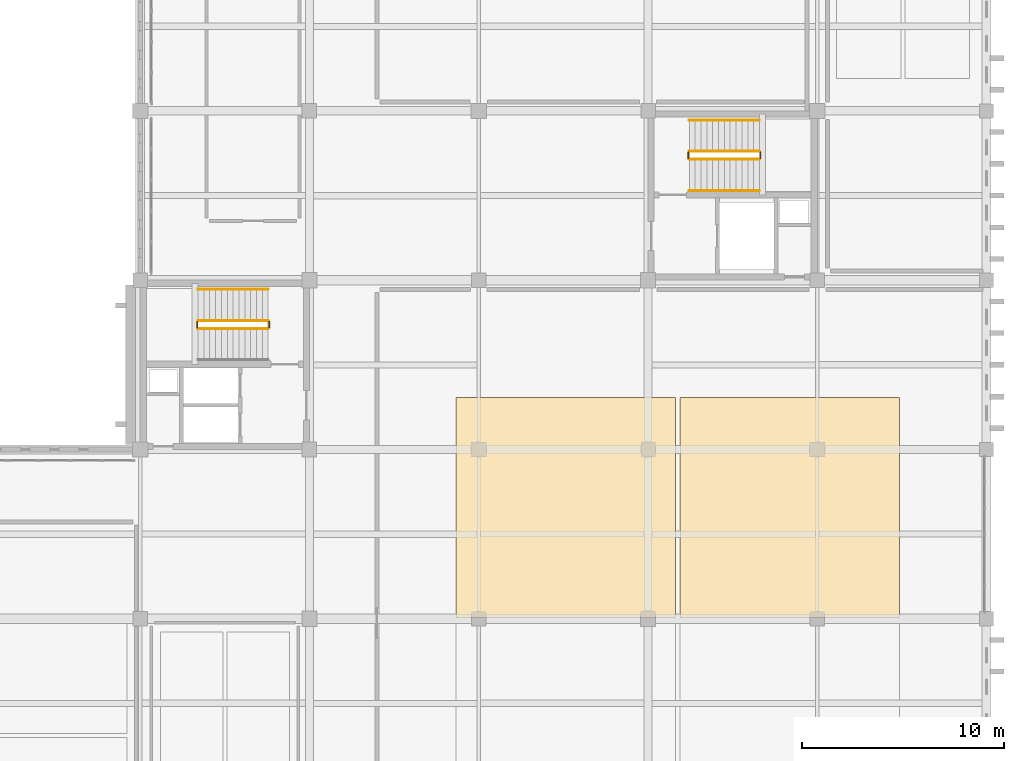
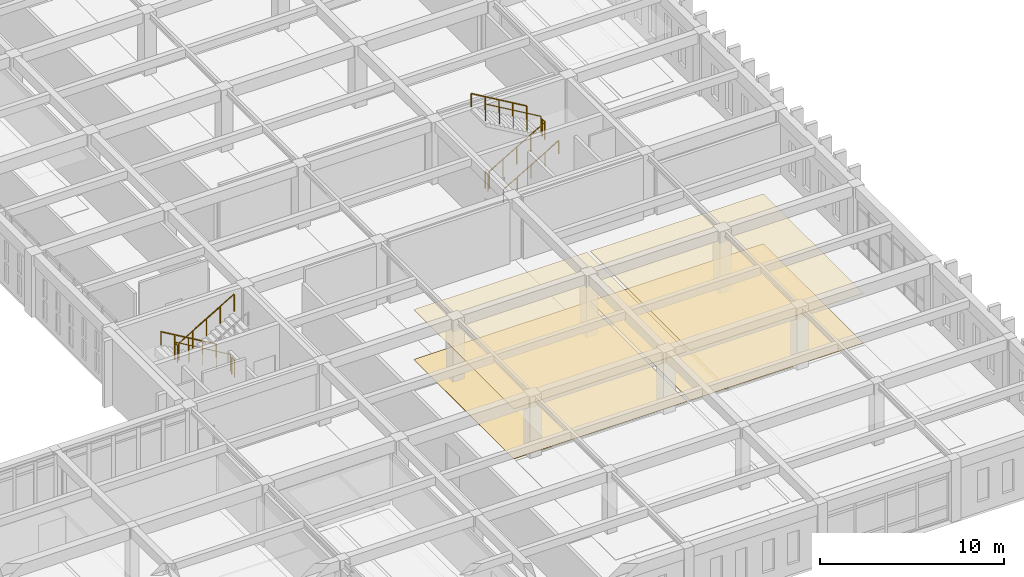
# One storey, part 190 of 192: 11 railings, 4 coverings.
"""IFC4 building model written with IfcOpenShell, lengths in metres."""

from ifc_helpers import new_model, si_unit, direction, frame, origin, origin_2d, place, context, subcontext, project, spatial, rectangle, circle, extrude, material, layer, layer_set, type_object, element, save


model = new_model("IFC4")

# Units and contexts
model_context = context("Model", 3, precision=1e-05, world=origin(), true_north=direction((0.0, 1.0)))
body_context = subcontext(model_context, "Body", "Model", "MODEL_VIEW")
ifc_project = project(units=[si_unit("LENGTHUNIT", "METRE"), si_unit("AREAUNIT", "SQUARE_METRE"), si_unit("VOLUMEUNIT", "CUBIC_METRE"), si_unit("PLANEANGLEUNIT", "RADIAN"), si_unit("MASSUNIT", "GRAM", prefix="KILO")], contexts=[model_context])

# Site, building, storey
site_placement = place(None, origin())
site = spatial("IfcSite", under=ifc_project, at=site_placement, CompositionType="ELEMENT")
building_placement = place(site_placement, origin())
building = spatial("IfcBuilding", under=site, at=building_placement, Name="Kveldsbrygga Polytechnic", CompositionType="ELEMENT")
storey_placement = place(building_placement, frame((0.0, 0.0, 5.43994140625)))
storey = spatial("IfcBuildingStorey", under=building, at=storey_placement, Name="L01", CompositionType="ELEMENT", Elevation=5.43994140625)

# Coverings
ifc_material_1 = material(Name="Acoustic mineral baffle ceiling")
ifc_layer_1 = layer(ifc_material_1, 0.030029296875)
ifc_layer_set_1 = layer_set([ifc_layer_1], Name="Acoustic mineral baffle ceiling")
covering_type_1 = type_object("IfcCoveringType", Name="COV-CEIL-AC30", PredefinedType="CEILING", material=ifc_layer_set_1)
for number, where, z_axis, x_axis, name in (
    (1, (147.125, 22.324951171875, 3.31005859375), (0.0, 0.0, 1.0), (1.0, 0.0, 0.0), "Acoustic Ceiling SP-L01-LAB11-WN"),
    (2, (158.22509765625, 22.324951171875, 3.31005859375), (0.0, 0.0, 1.0), (1.0, 0.0, 0.0), "Acoustic Ceiling SP-L01-LAB11-EN"),
):
    element("IfcCovering", number, at=place(storey_placement, frame(where, z_axis=z_axis, x_axis=x_axis)), inside=storey, type_object=covering_type_1, Name=name, PredefinedType="CEILING", context=body_context, shape_type="SweptSolid", body=[
        extrude(rectangle(XDim=10.89990234375, YDim=10.89990234375, at=origin_2d()), origin(), (0.0, 0.0, 1.0), 0.030029296875),
    ])
ifc_material_2 = material(Name="Heavy-duty quartz-filled epoxy resin flooring")
ifc_layer_2 = layer(ifc_material_2, 0.014892578125)
ifc_layer_set_2 = layer_set([ifc_layer_2], Name="Heavy-duty quartz-filled epoxy resin flooring")
covering_type_2 = type_object("IfcCoveringType", Name="COV-FLR-EPX15", PredefinedType="FLOORING", material=ifc_layer_set_2)
for number, where, z_axis, x_axis, name in (
    (3, (147.125, 22.324951171875, 0.0), (0.0, 0.0, 1.0), (1.0, 0.0, 0.0), "Room Flooring SP-L01-LAB11-WN"),
    (4, (158.22509765625, 22.324951171875, 0.0), (0.0, 0.0, 1.0), (1.0, 0.0, 0.0), "Room Flooring SP-L01-LAB11-EN"),
):
    element("IfcCovering", number, at=place(storey_placement, frame(where, z_axis=z_axis, x_axis=x_axis)), inside=storey, type_object=covering_type_2, Name=name, PredefinedType="FLOORING", context=body_context, shape_type="SweptSolid", body=[
        extrude(rectangle(XDim=10.89990234375, YDim=10.89990234375, at=origin_2d()), origin(), (0.0, 0.0, 1.0), 0.014892578125),
    ])

# Railings
ifc_material_3 = material(Name="Steel S355", Category="steel")
railing_type_1 = type_object("IfcRailingType", Name="RL-STAIR-GRD", PredefinedType="GUARDRAIL", material=ifc_material_3)
railing_1_placement = place(storey_placement, frame((132.35009765625, 31.60009765625, 0.170166015625)))
element("IfcRailing", 5, at=railing_1_placement, inside=storey, type_object=railing_type_1, Name="L01 ST-1 stair guard 1", PredefinedType="GUARDRAIL", context=body_context, shape_type="SweptSolid", body=[
    extrude(circle(Radius=0.02392578125, at=origin_2d()), frame((0.0, 0.0, 1.1259765625), z_axis=(-0.862718911971, 0.0, 0.505683773644), x_axis=(0.0, -1.0, 0.0)), (0.0, 0.0, 1.0), 4.03369140625),
    extrude(circle(Radius=0.02099609375, at=origin_2d()), origin(), (0.0, 0.0, 1.0), 1.097900390625),
    extrude(circle(Radius=0.02099609375, at=origin_2d()), frame((-0.8701171875, 0.0, 0.510009765625)), (0.0, 0.0, 1.0), 1.097900390625),
    extrude(circle(Radius=0.02099609375, at=origin_2d()), frame((-1.739990234375, 0.0, 1.02001953125)), (0.0, 0.0, 1.0), 1.097900390625),
    extrude(circle(Radius=0.02099609375, at=origin_2d()), frame((-2.60986328125, 0.0, 1.52978515625)), (0.0, 0.0, 1.0), 1.097900390625),
    extrude(circle(Radius=0.02099609375, at=origin_2d()), frame((-3.47998046875, 0.0, 2.039794921875)), (0.0, 0.0, 1.0), 1.097900390625),
])
railing_2_placement = place(storey_placement, frame((128.820068359375, 31.550048828125, 2.2099609375)))
element("IfcRailing", 6, at=railing_2_placement, inside=storey, type_object=railing_type_1, Name="L01 ST-1 stair guard 2", PredefinedType="GUARDRAIL", context=body_context, shape_type="SweptSolid", body=[
    extrude(circle(Radius=0.02392578125, at=origin_2d()), frame((0.0, 0.0, 1.1259765625), z_axis=(0.0, -1.0, 0.0), x_axis=(1.0, 0.0, 0.0)), (0.0, 0.0, 1.0), 0.300048828125),
    extrude(circle(Radius=0.02099609375, at=origin_2d()), origin(), (0.0, 0.0, 1.0), 1.097900390625),
    extrude(circle(Radius=0.02099609375, at=origin_2d()), frame((0.0, -0.300048828125, 0.0)), (0.0, 0.0, 1.0), 1.097900390625),
])
railing_3_placement = place(storey_placement, frame((128.8701171875, 31.199951171875, 2.380126953125)))
element("IfcRailing", 7, at=railing_3_placement, inside=storey, type_object=railing_type_1, Name="L01 ST-1 stair guard 3", PredefinedType="GUARDRAIL", context=body_context, shape_type="SweptSolid", body=[
    extrude(circle(Radius=0.02392578125, at=origin_2d()), frame((0.0, 0.0, 1.1259765625), z_axis=(0.862692506924, 0.0, 0.505728819128), x_axis=(0.0, 1.0, 0.0)), (0.0, 0.0, 1.0), 4.033935546875),
    extrude(circle(Radius=0.02099609375, at=origin_2d()), origin(), (0.0, 0.0, 1.0), 1.097900390625),
    extrude(circle(Radius=0.02099609375, at=origin_2d()), frame((0.8701171875, 0.0, 0.510009765625)), (0.0, 0.0, 1.0), 1.097900390625),
    extrude(circle(Radius=0.02099609375, at=origin_2d()), frame((1.739990234375, 0.0, 1.02001953125)), (0.0, 0.0, 1.0), 1.097900390625),
    extrude(circle(Radius=0.02099609375, at=origin_2d()), frame((2.60986328125, 0.0, 1.530029296875)), (0.0, 0.0, 1.0), 1.097900390625),
    extrude(circle(Radius=0.02099609375, at=origin_2d()), frame((3.47998046875, 0.0, 2.0400390625)), (0.0, 0.0, 1.0), 1.097900390625),
])
railing_4_placement = place(storey_placement, frame((132.39990234375, 31.550048828125, 0.0)))
element("IfcRailing", 8, at=railing_4_placement, inside=storey, type_object=railing_type_1, Name="L01 ST-1 stair guard 4", PredefinedType="GUARDRAIL", context=body_context, shape_type="SweptSolid", body=[
    extrude(circle(Radius=0.02392578125, at=origin_2d()), frame((0.0, 0.0, 1.1259765625), z_axis=(0.0, -1.0, 0.0), x_axis=(1.0, 0.0, 0.0)), (0.0, 0.0, 1.0), 0.300048828125),
    extrude(circle(Radius=0.02099609375, at=origin_2d()), origin(), (0.0, 0.0, 1.0), 1.097900390625),
    extrude(circle(Radius=0.02099609375, at=origin_2d()), frame((0.0, -0.300048828125, 0.0)), (0.0, 0.0, 1.0), 1.097900390625),
])
railing_5_placement = place(storey_placement, frame((153.25, 39.60009765625, 0.170166015625)))
element("IfcRailing", 9, at=railing_5_placement, inside=storey, type_object=railing_type_1, Name="L01 ST-3 stair guard 1", PredefinedType="GUARDRAIL", context=body_context, shape_type="SweptSolid", body=[
    extrude(circle(Radius=0.02392578125, at=origin_2d()), frame((0.0, 0.0, 1.1259765625), z_axis=(0.862718911971, 0.0, 0.505683773644), x_axis=(0.0, 1.0, 0.0)), (0.0, 0.0, 1.0), 4.03369140625),
    extrude(circle(Radius=0.02099609375, at=origin_2d()), origin(), (0.0, 0.0, 1.0), 1.097900390625),
    extrude(circle(Radius=0.02099609375, at=origin_2d()), frame((0.8701171875, 0.0, 0.510009765625)), (0.0, 0.0, 1.0), 1.097900390625),
    extrude(circle(Radius=0.02099609375, at=origin_2d()), frame((1.739990234375, 0.0, 1.02001953125)), (0.0, 0.0, 1.0), 1.097900390625),
    extrude(circle(Radius=0.02099609375, at=origin_2d()), frame((2.60986328125, 0.0, 1.52978515625)), (0.0, 0.0, 1.0), 1.097900390625),
    extrude(circle(Radius=0.02099609375, at=origin_2d()), frame((3.47998046875, 0.0, 2.039794921875)), (0.0, 0.0, 1.0), 1.097900390625),
])
railing_6_placement = place(storey_placement, frame((156.780029296875, 39.64990234375, 2.2099609375)))
element("IfcRailing", 10, at=railing_6_placement, inside=storey, type_object=railing_type_1, Name="L01 ST-3 stair guard 2", PredefinedType="GUARDRAIL", context=body_context, shape_type="SweptSolid", body=[
    extrude(circle(Radius=0.02392578125, at=origin_2d()), frame((0.0, 0.0, 1.1259765625), z_axis=(0.0, 1.0, 0.0), x_axis=(-1.0, 0.0, 0.0)), (0.0, 0.0, 1.0), 0.300048828125),
    extrude(circle(Radius=0.02099609375, at=origin_2d()), origin(), (0.0, 0.0, 1.0), 1.097900390625),
    extrude(circle(Radius=0.02099609375, at=origin_2d()), frame((0.0, 0.300048828125, 0.0)), (0.0, 0.0, 1.0), 1.097900390625),
])
railing_7_placement = place(storey_placement, frame((156.72998046875, 40.0, 2.380126953125)))
element("IfcRailing", 11, at=railing_7_placement, inside=storey, type_object=railing_type_1, Name="L01 ST-3 stair guard 3", PredefinedType="GUARDRAIL", context=body_context, shape_type="SweptSolid", body=[
    extrude(circle(Radius=0.02392578125, at=origin_2d()), frame((0.0, 0.0, 1.1259765625), z_axis=(-0.862692506924, 0.0, 0.505728819128), x_axis=(0.0, -1.0, 0.0)), (0.0, 0.0, 1.0), 4.033935546875),
    extrude(circle(Radius=0.02099609375, at=origin_2d()), origin(), (0.0, 0.0, 1.0), 1.097900390625),
    extrude(circle(Radius=0.02099609375, at=origin_2d()), frame((-0.8701171875, 0.0, 0.510009765625)), (0.0, 0.0, 1.0), 1.097900390625),
    extrude(circle(Radius=0.02099609375, at=origin_2d()), frame((-1.739990234375, 0.0, 1.02001953125)), (0.0, 0.0, 1.0), 1.097900390625),
    extrude(circle(Radius=0.02099609375, at=origin_2d()), frame((-2.60986328125, 0.0, 1.530029296875)), (0.0, 0.0, 1.0), 1.097900390625),
    extrude(circle(Radius=0.02099609375, at=origin_2d()), frame((-3.47998046875, 0.0, 2.0400390625)), (0.0, 0.0, 1.0), 1.097900390625),
])
railing_8_placement = place(storey_placement, frame((153.199951171875, 39.64990234375, 0.0)))
element("IfcRailing", 12, at=railing_8_placement, inside=storey, type_object=railing_type_1, Name="L01 ST-3 stair guard 4", PredefinedType="GUARDRAIL", context=body_context, shape_type="SweptSolid", body=[
    extrude(circle(Radius=0.02392578125, at=origin_2d()), frame((0.0, 0.0, 1.1259765625), z_axis=(0.0, 1.0, 0.0), x_axis=(-1.0, 0.0, 0.0)), (0.0, 0.0, 1.0), 0.300048828125),
    extrude(circle(Radius=0.02099609375, at=origin_2d()), origin(), (0.0, 0.0, 1.0), 1.097900390625),
    extrude(circle(Radius=0.02099609375, at=origin_2d()), frame((0.0, 0.300048828125, 0.0)), (0.0, 0.0, 1.0), 1.097900390625),
])
railing_type_2 = type_object("IfcRailingType", Name="RL-STAIR-HND", PredefinedType="HANDRAIL", material=ifc_material_3)
railing_9_placement = place(storey_placement, frame((132.35009765625, 33.14990234375, 0.170166015625)))
element("IfcRailing", 13, at=railing_9_placement, inside=storey, type_object=railing_type_2, Name="L01 ST-1 stair handrail 1", PredefinedType="HANDRAIL", context=body_context, shape_type="SweptSolid", body=[
    extrude(circle(Radius=0.02392578125, at=origin_2d()), frame((0.0, 0.0, 0.8759765625), z_axis=(-0.862718911971, 0.0, 0.505683773644), x_axis=(0.0, -1.0, 0.0)), (0.0, 0.0, 1.0), 4.03369140625),
    extrude(circle(Radius=0.02099609375, at=origin_2d()), origin(), (0.0, 0.0, 1.0), 0.847900390625),
    extrude(circle(Radius=0.02099609375, at=origin_2d()), frame((-0.8701171875, 0.0, 0.510009765625)), (0.0, 0.0, 1.0), 0.847900390625),
    extrude(circle(Radius=0.02099609375, at=origin_2d()), frame((-1.739990234375, 0.0, 1.02001953125)), (0.0, 0.0, 1.0), 0.847900390625),
    extrude(circle(Radius=0.02099609375, at=origin_2d()), frame((-2.60986328125, 0.0, 1.52978515625)), (0.0, 0.0, 1.0), 0.847900390625),
    extrude(circle(Radius=0.02099609375, at=origin_2d()), frame((-3.47998046875, 0.0, 2.039794921875)), (0.0, 0.0, 1.0), 0.847900390625),
])
railing_10_placement = place(storey_placement, frame((153.25, 38.050048828125, 0.170166015625)))
element("IfcRailing", 14, at=railing_10_placement, inside=storey, type_object=railing_type_2, Name="L01 ST-3 stair handrail 1", PredefinedType="HANDRAIL", context=body_context, shape_type="SweptSolid", body=[
    extrude(circle(Radius=0.02392578125, at=origin_2d()), frame((0.0, 0.0, 0.8759765625), z_axis=(0.862718911971, 0.0, 0.505683773644), x_axis=(0.0, 1.0, 0.0)), (0.0, 0.0, 1.0), 4.03369140625),
    extrude(circle(Radius=0.02099609375, at=origin_2d()), origin(), (0.0, 0.0, 1.0), 0.847900390625),
    extrude(circle(Radius=0.02099609375, at=origin_2d()), frame((0.8701171875, 0.0, 0.510009765625)), (0.0, 0.0, 1.0), 0.847900390625),
    extrude(circle(Radius=0.02099609375, at=origin_2d()), frame((1.739990234375, 0.0, 1.02001953125)), (0.0, 0.0, 1.0), 0.847900390625),
    extrude(circle(Radius=0.02099609375, at=origin_2d()), frame((2.60986328125, 0.0, 1.52978515625)), (0.0, 0.0, 1.0), 0.847900390625),
    extrude(circle(Radius=0.02099609375, at=origin_2d()), frame((3.47998046875, 0.0, 2.039794921875)), (0.0, 0.0, 1.0), 0.847900390625),
])
railing_11_placement = place(storey_placement, frame((156.72998046875, 41.550048828125, 2.380126953125)))
element("IfcRailing", 15, at=railing_11_placement, inside=storey, type_object=railing_type_2, Name="L01 ST-3 stair handrail 2", PredefinedType="HANDRAIL", context=body_context, shape_type="SweptSolid", body=[
    extrude(circle(Radius=0.02392578125, at=origin_2d()), frame((0.0, 0.0, 0.8759765625), z_axis=(-0.862692506924, 0.0, 0.505728819128), x_axis=(0.0, -1.0, 0.0)), (0.0, 0.0, 1.0), 4.033935546875),
    extrude(circle(Radius=0.02099609375, at=origin_2d()), origin(), (0.0, 0.0, 1.0), 0.847900390625),
    extrude(circle(Radius=0.02099609375, at=origin_2d()), frame((-0.8701171875, 0.0, 0.510009765625)), (0.0, 0.0, 1.0), 0.847900390625),
    extrude(circle(Radius=0.02099609375, at=origin_2d()), frame((-1.739990234375, 0.0, 1.02001953125)), (0.0, 0.0, 1.0), 0.847900390625),
    extrude(circle(Radius=0.02099609375, at=origin_2d()), frame((-2.60986328125, 0.0, 1.530029296875)), (0.0, 0.0, 1.0), 0.847900390625),
    extrude(circle(Radius=0.02099609375, at=origin_2d()), frame((-3.47998046875, 0.0, 2.0400390625)), (0.0, 0.0, 1.0), 0.847900390625),
])

save(model, "model.ifc")
